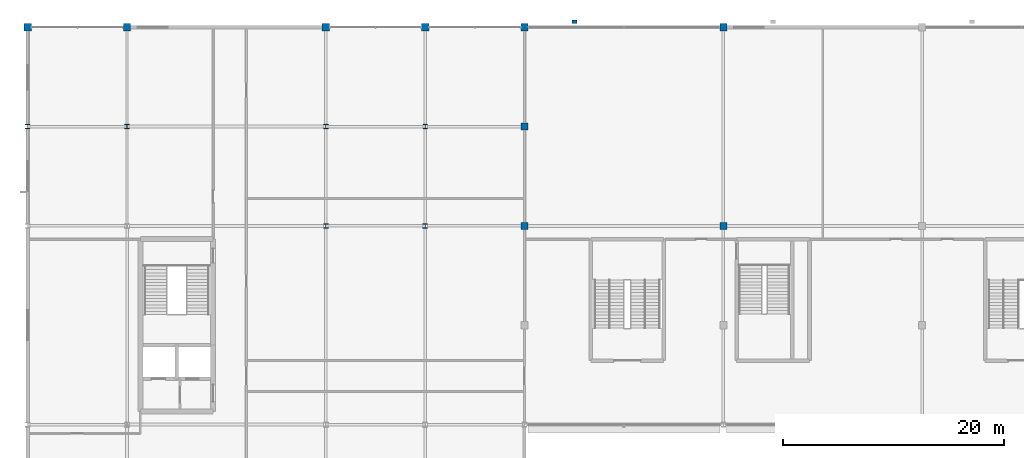
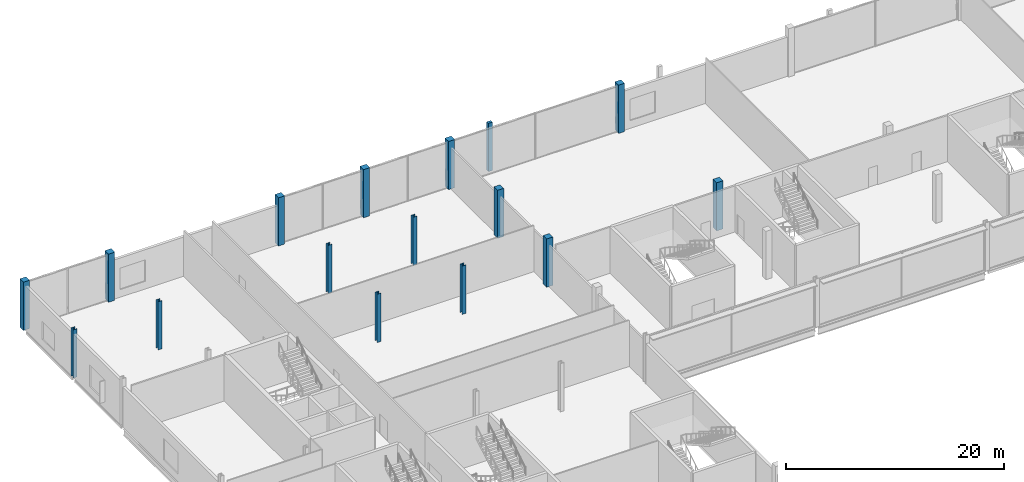
# One storey, part 5 of 111: 16 columns.
"""IFC4 building model written with IfcOpenShell, lengths in metres."""

from ifc_helpers import new_model, si_unit, direction, frame, origin, origin_2d, place, context, subcontext, project, spatial, rectangle, i_section, extrude, material, material_profile, profile_set, type_object, element, save


model = new_model("IFC4")

# Units and contexts
model_context = context("Model", 3, precision=1e-05, world=origin(), true_north=direction((0.0, 1.0)))
body_context = subcontext(model_context, "Body", "Model", "MODEL_VIEW")
ifc_project = project(units=[si_unit("LENGTHUNIT", "METRE"), si_unit("AREAUNIT", "SQUARE_METRE"), si_unit("VOLUMEUNIT", "CUBIC_METRE"), si_unit("PLANEANGLEUNIT", "RADIAN"), si_unit("MASSUNIT", "GRAM", prefix="KILO")], contexts=[model_context])

# Site, building, storey
site_placement = place(None, origin())
site = spatial("IfcSite", under=ifc_project, at=site_placement, CompositionType="ELEMENT")
building_placement = place(site_placement, origin())
building = spatial("IfcBuilding", under=site, at=building_placement, Name="Kisiwana Market Hall", CompositionType="ELEMENT")
storey_placement = place(building_placement, frame((0.0, 0.0, 11.39990234375)))
storey = spatial("IfcBuildingStorey", under=building, at=storey_placement, Name="L02", CompositionType="ELEMENT", Elevation=11.39990234375)

# Columns
ifc_material_1 = material(Name="Concrete C40/50", Category="concrete")
ifc_material_profile_1 = material_profile(ifc_material_1, rectangle(XDim=0.64990234375, YDim=0.64990234375, at=origin_2d()), Name="RC 650x650")
ifc_profile_set_1 = profile_set([ifc_material_profile_1], Name="Concrete C40/50")
column_type_1 = type_object("IfcColumnType", Name="COL-RC-POD-650", PredefinedType="COLUMN", material=ifc_profile_set_1)
for number, where, z_axis, x_axis, name in (
    (1, (0.0, 120.0, 0.0), (0.0, 0.0, 1.0), (1.0, 0.0, 0.0), "Column Q/1 (L02) C-0518"),
    (2, (9.0, 120.0, 0.0), (0.0, 0.0, 1.0), (1.0, 0.0, 0.0), "Column Q/2 (L02) C-0526"),
    (3, (27.0, 120.0, 0.0), (0.0, 0.0, 1.0), (1.0, 0.0, 0.0), "Column Q/4 (L02) C-0535"),
    (4, (36.0, 120.0, 0.0), (0.0, 0.0, 1.0), (1.0, 0.0, 0.0), "Column Q/5 (L02) C-0543"),
    (5, (45.0, 102.0, 0.0), (0.0, 0.0, 1.0), (1.0, 0.0, 0.0), "Column N/6 (L02) C-0552"),
    (6, (45.0, 111.0, 0.0), (0.0, 0.0, 1.0), (1.0, 0.0, 0.0), "Column P/6 (L02) C-0553"),
    (7, (45.0, 120.0, 0.0), (0.0, 0.0, 1.0), (1.0, 0.0, 0.0), "Column Q/6 (L02) C-0554"),
    (8, (63.0, 102.0, 0.0), (0.0, 0.0, 1.0), (1.0, 0.0, 0.0), "Column N/8 (L02) C-0561"),
    (9, (63.0, 120.0, 0.0), (0.0, 0.0, 1.0), (1.0, 0.0, 0.0), "Column Q/8 (L02) C-0562"),
):
    element("IfcColumn", number, at=place(storey_placement, frame(where, z_axis=z_axis, x_axis=x_axis)), inside=storey, type_object=column_type_1, Name=name, PredefinedType="COLUMN", context=body_context, shape_type="SweptSolid", body=[
        extrude(rectangle(XDim=0.64990234375, YDim=0.64990234375, at=origin_2d()), origin(), (0.0, 0.0, 1.0), 5.400146484375),
    ])
ifc_material_2 = material(Name="Steel S355", Category="steel")
ifc_material_profile_2 = material_profile(ifc_material_2, i_section(OverallWidth=0.406005859375, OverallDepth=0.416015625, WebThickness=0.02978515625, FlangeThickness=0.048095703125, at=origin_2d()), Name="HD 400x382")
ifc_profile_set_2 = profile_set([ifc_material_profile_2], Name="Steel S355")
column_type_2 = type_object("IfcColumnType", Name="COL-STL-HD382", PredefinedType="COLUMN", material=ifc_profile_set_2)
for number, where, z_axis, x_axis, name in (
    (10, (27.0, 102.0, 0.0), (0.0, 0.0, 1.0), (1.0, 0.0, 0.0), "Column N/4 (L02) C-0533"),
    (11, (36.0, 102.0, 0.0), (0.0, 0.0, 1.0), (1.0, 0.0, 0.0), "Column N/5 (L02) C-0541"),
):
    element("IfcColumn", number, at=place(storey_placement, frame(where, z_axis=z_axis, x_axis=x_axis)), inside=storey, type_object=column_type_2, Name=name, PredefinedType="COLUMN", context=body_context, shape_type="SweptSolid", body=[
        extrude(i_section(OverallWidth=0.406005859375, OverallDepth=0.416015625, WebThickness=0.02978515625, FlangeThickness=0.048095703125, at=origin_2d()), origin(), (0.0, 0.0, 1.0), 5.400146484375),
    ])
ifc_material_3 = material(Name="Steel S355", Category="steel")
ifc_material_profile_3 = material_profile(ifc_material_3, i_section(OverallWidth=0.39892578125, OverallDepth=0.3935546875, WebThickness=0.022705078125, FlangeThickness=0.03662109375, at=origin_2d()), Name="UC 356x406x287")
ifc_profile_set_3 = profile_set([ifc_material_profile_3], Name="Steel S355")
column_type_3 = type_object("IfcColumnType", Name="COL-STL-UC287", PredefinedType="COLUMN", material=ifc_profile_set_3)
for number, where, z_axis, x_axis, name in (
    (12, (0.0, 111.0, 0.0), (0.0, 0.0, 1.0), (1.0, 0.0, 0.0), "Column P/1 (L02) C-0517"),
    (13, (9.0, 111.0, 0.0), (0.0, 0.0, 1.0), (1.0, 0.0, 0.0), "Column P/2 (L02) C-0525"),
    (14, (27.0, 111.0, 0.0), (0.0, 0.0, 1.0), (1.0, 0.0, 0.0), "Column P/4 (L02) C-0534"),
    (15, (36.0, 111.0, 0.0), (0.0, 0.0, 1.0), (1.0, 0.0, 0.0), "Column P/5 (L02) C-0542"),
):
    element("IfcColumn", number, at=place(storey_placement, frame(where, z_axis=z_axis, x_axis=x_axis)), inside=storey, type_object=column_type_3, Name=name, PredefinedType="COLUMN", context=body_context, shape_type="SweptSolid", body=[
        extrude(i_section(OverallWidth=0.39892578125, OverallDepth=0.3935546875, WebThickness=0.022705078125, FlangeThickness=0.03662109375, at=origin_2d()), origin(), (0.0, 0.0, 1.0), 5.400146484375),
    ])
ifc_material_4 = material(Name="Concrete C40/50", Category="concrete")
ifc_material_profile_4 = material_profile(ifc_material_4, rectangle(XDim=0.449951171875, YDim=0.300048828125, at=origin_2d()), Name="PIL 450x300")
ifc_profile_set_4 = profile_set([ifc_material_profile_4], Name="Concrete C40/50")
column_type_4 = type_object("IfcColumnType", Name="PIL-CONC-450", PredefinedType="PILASTER", material=ifc_profile_set_4)
column_placement = place(storey_placement, frame((49.5, 120.5, 0.0), z_axis=(0.0, 0.0, 1.0), x_axis=(1.0, 0.0, 0.0)))
element("IfcColumn", 16, at=column_placement, inside=storey, type_object=column_type_4, Name="Facade pilaster Q/6 (L02) C-0650", PredefinedType="PILASTER", context=body_context, shape_type="SweptSolid", body=[
    extrude(rectangle(XDim=0.449951171875, YDim=0.300048828125, at=origin_2d()), origin(), (0.0, 0.0, 1.0), 5.400146484375),
])

save(model, "model.ifc")
